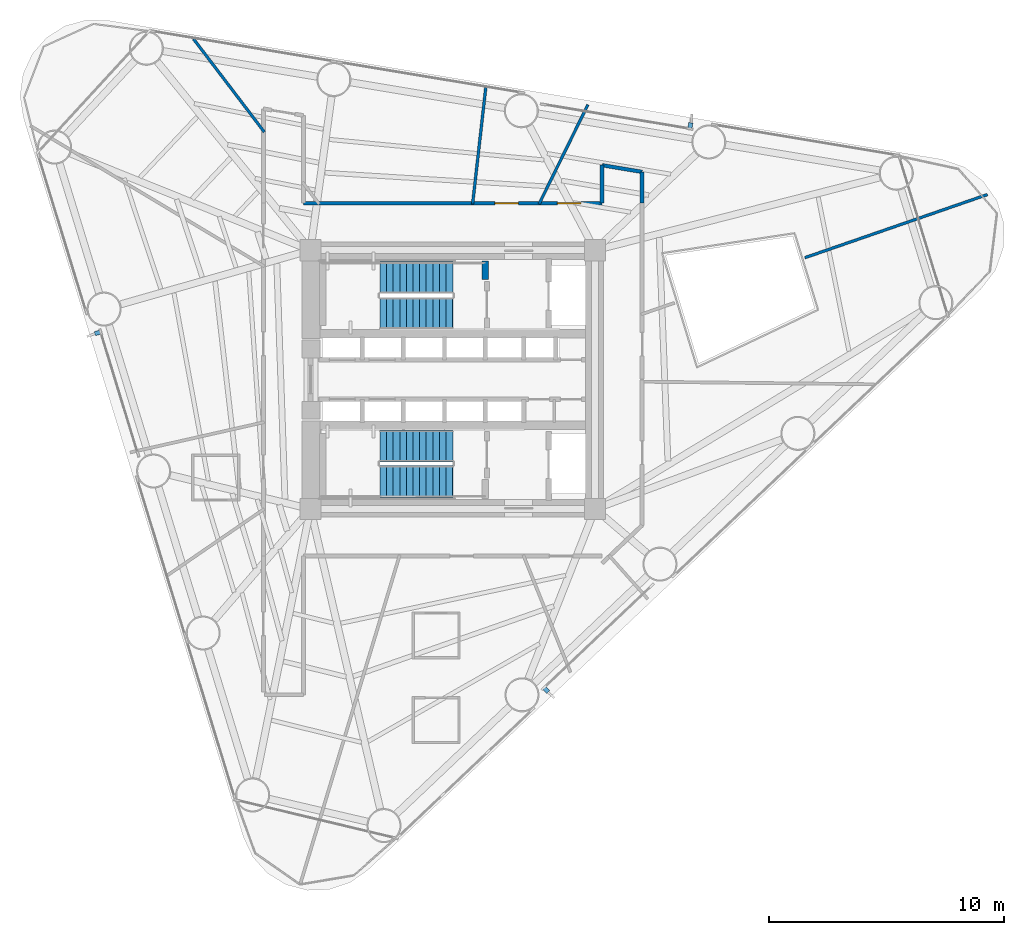
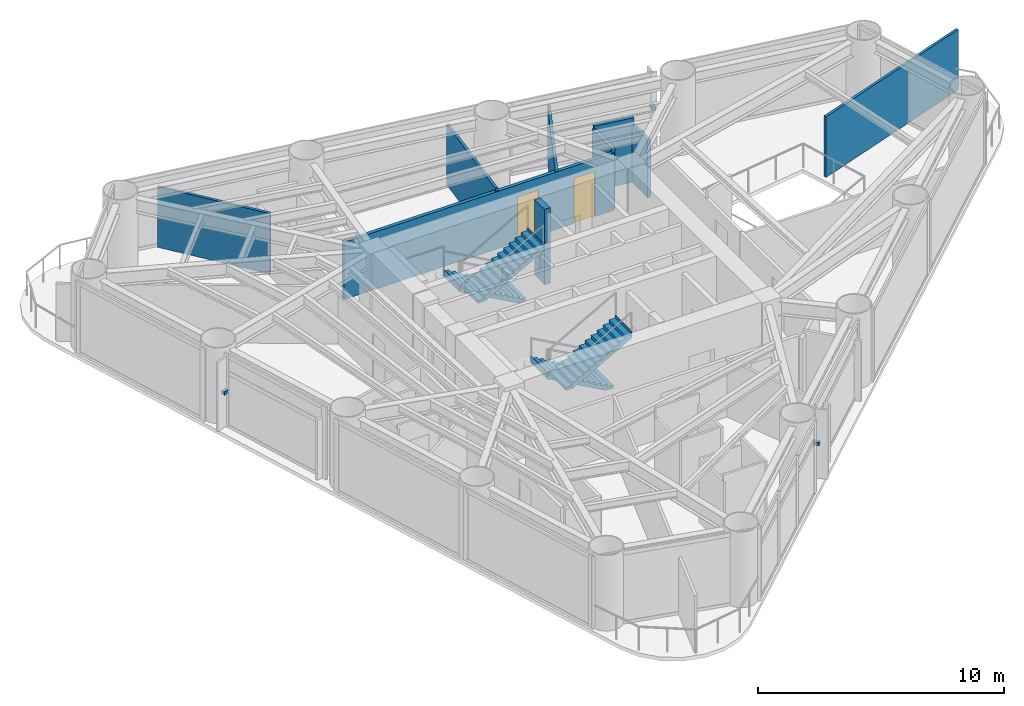
# One storey, part 7 of 10: 9 walls, 4 stair flights, 3 discrete accessories, 2 doors, 2 openings, 2 elements without a shape of their own.
"""IFC4 building model written with IfcOpenShell, lengths in metres."""

from ifc_helpers import new_model, si_unit, direction, frame, frame_2d, origin, origin_2d, place, context, subcontext, project, spatial, polyline, rectangle, outline, extrude, source, transform, mapped, material, layer, layer_set, type_object, element, fill, aggregate, save


model = new_model("IFC4")

# Units and contexts
model_context = context("Model", 3, precision=1e-05, world=origin(), true_north=direction((0.0, 1.0)))
body_context = subcontext(model_context, "Body", "Model", "MODEL_VIEW")
ifc_project = project(units=[si_unit("LENGTHUNIT", "METRE"), si_unit("AREAUNIT", "SQUARE_METRE"), si_unit("VOLUMEUNIT", "CUBIC_METRE"), si_unit("PLANEANGLEUNIT", "RADIAN"), si_unit("MASSUNIT", "GRAM", prefix="KILO")], contexts=[model_context])

# Site, building, storey
site_placement = place(None, origin())
site = spatial("IfcSite", under=ifc_project, at=site_placement, CompositionType="ELEMENT")
building_placement = place(site_placement, origin())
building = spatial("IfcBuilding", under=site, at=building_placement, Name="Yunling Apex Tower", CompositionType="ELEMENT")
storey_placement = place(building_placement, frame((0.0, 0.0, 93.64990234375)))
storey = spatial("IfcBuildingStorey", under=building, at=storey_placement, Name="L23", CompositionType="ELEMENT", Elevation=93.64990234375)

# Wall
ifc_material_1 = material(Name="Concrete C40", Category="concrete")
ifc_layer_1 = layer(ifc_material_1, 0.280029296875)
ifc_layer_set_1 = layer_set([ifc_layer_1], Name="Concrete C40")
wall_type_1 = type_object("IfcWallType", Name="WL-COR-8", PredefinedType="SHEAR", material=ifc_layer_set_1)
wall_1_placement = place(storey_placement, frame((1.3798828125, 4.25, 0.0), z_axis=(0.0, 0.0, 1.0), x_axis=(0.0, 1.0, 0.0)))
element("IfcWall", 1, at=wall_1_placement, inside=storey, type_object=wall_type_1, Name="L23 ST-1 East Landing Bearing Pier", PredefinedType="SHEAR", context=body_context, shape_type="SweptSolid", body=[
    extrude(rectangle(XDim=0.800048828125, YDim=0.280029296875, at=frame_2d((0.39990234375, 0.0))), origin(), (0.0, 0.0, 1.0), 3.75),
])

# Wall, openings, doors
ifc_material_2 = material(Name="Gypsum board acoustic partition")
ifc_layer_2 = layer(ifc_material_2, 0.159912109375)
ifc_layer_set_2 = layer_set([ifc_layer_2], Name="Gypsum board acoustic partition")
wall_type_2 = type_object("IfcWallType", Name="WL-PRT-1", PredefinedType="PARTITIONING", material=ifc_layer_set_2)
wall_2_placement = place(storey_placement, frame((-6.35009765625, 7.5, 0.0), z_axis=(0.0, 0.0, 1.0), x_axis=(1.0, 0.0, 0.0)))
wall_2 = element("IfcWall", 2, at=wall_2_placement, inside=storey, type_object=wall_type_2, Name="WL-CORR-L23-06", PredefinedType="PARTITIONING", context=body_context, shape_type="SweptSolid", body=[
    extrude(rectangle(XDim=12.7001953125, YDim=0.159912109375, at=frame_2d((6.35009765625, 0.0))), origin(), (0.0, 0.0, 1.0), 2.85009765625),
])
opening_1_placement = place(wall_2_placement, frame((8.14013671875, 0.0, 0.0)))
opening_1 = element("IfcOpeningElement", 3, at=opening_1_placement, cuts=wall_2, Name="Opening DR-OFF-1", PredefinedType="OPENING", context=body_context, shape_type="SweptSolid", body=[
    extrude(rectangle(XDim=1.0, YDim=2.25, at=frame_2d((0.5, 1.125))), frame((0.0, 0.08984375, 0.0), z_axis=(0.0, -1.0, 0.0), x_axis=(1.0, 0.0, 0.0)), (0.0, 0.0, 1.0), 0.179931640625),
])
opening_2_placement = place(wall_2_placement, frame((10.799072265625, 0.0, 0.0)))
opening_2 = element("IfcOpeningElement", 4, at=opening_2_placement, cuts=wall_2, Name="Opening DR-OFF-1", PredefinedType="OPENING", context=body_context, shape_type="SweptSolid", body=[
    extrude(rectangle(XDim=1.0, YDim=2.25, at=frame_2d((0.5, 1.125))), frame((0.0, 0.08984375, 0.0), z_axis=(0.0, -1.0, 0.0), x_axis=(1.0, 0.0, 0.0)), (0.0, 0.0, 1.0), 0.179931640625),
])
ifc_material_3 = material(Name="Bronze anodised aluminium", Category="aluminium")
door_type = type_object("IfcDoorType", Name="DR-OFF-1", OperationType="NOTDEFINED", PredefinedType="DOOR", material=ifc_material_3)
door_1_placement = place(opening_1_placement, origin())
door_1 = element("IfcDoor", 5, at=door_1_placement, inside=storey, type_object=door_type, Name="L23 Administration Staff Room Door", OperationType="SINGLE_SWING_RIGHT", OverallHeight=2.25, OverallWidth=1.0, PredefinedType="DOOR", context=body_context, shape_type="SweptSolid", body=[
    extrude(rectangle(XDim=1.0, YDim=2.25, at=frame_2d((0.5, 1.125))), frame((0.0, 0.02490234375, 0.0), z_axis=(0.0, -1.0, 0.0), x_axis=(1.0, 0.0, 0.0)), (0.0, 0.0, 1.0), 0.050048828125),
])
fill(opening_1, door_1)
door_2_placement = place(opening_2_placement, origin())
door_2 = element("IfcDoor", 6, at=door_2_placement, inside=storey, type_object=door_type, Name="L23 Open Plan Office Door", OperationType="SINGLE_SWING_LEFT", OverallHeight=2.25, OverallWidth=1.0, PredefinedType="DOOR", context=body_context, shape_type="SweptSolid", body=[
    extrude(rectangle(XDim=1.0, YDim=2.25, at=frame_2d((0.5, 1.125))), frame((0.0, 0.02490234375, 0.0), z_axis=(0.0, -1.0, 0.0), x_axis=(1.0, 0.0, 0.0)), (0.0, 0.0, 1.0), 0.050048828125),
])
fill(opening_2, door_2)

# Walls
wall_3_placement = place(storey_placement, frame((6.35009765625, 7.5, 0.0), z_axis=(0.0, 0.0, 1.0), x_axis=(0.0, 1.0, 0.0)))
element("IfcWall", 7, at=wall_3_placement, inside=storey, type_object=wall_type_2, Name="WL-CORR-L23-07", PredefinedType="PARTITIONING", context=body_context, shape_type="SweptSolid", body=[
    extrude(rectangle(XDim=1.613037109375, YDim=0.159912109375, at=frame_2d((0.806640625, 0.0))), origin(), (0.0, 0.0, 1.0), 3.050048828125),
])
wall_4_placement = place(storey_placement, frame((6.35009765625, 9.113037109375, 0.0), z_axis=(0.0, 0.0, 1.0), x_axis=(0.986405407683, -0.164330069354, 0.0)))
element("IfcWall", 8, at=wall_4_placement, inside=storey, type_object=wall_type_2, Name="WL-CORR-L23-08", PredefinedType="PARTITIONING", context=body_context, shape_type="SweptSolid", body=[
    extrude(rectangle(XDim=1.723388671875, YDim=0.159912109375, at=frame_2d((0.86181640625, 0.0))), origin(), (0.0, 0.0, 1.0), 3.2001953125),
])
wall_5_placement = place(storey_placement, frame((8.050048828125, 8.829833984375, 0.0), z_axis=(0.0, 0.0, 1.0), x_axis=(0.0, -1.0, 0.0)))
element("IfcWall", 9, at=wall_5_placement, inside=storey, type_object=wall_type_2, Name="WL-CORR-L23-09", PredefinedType="PARTITIONING", context=body_context, shape_type="SweptSolid", body=[
    extrude(rectangle(XDim=1.329833984375, YDim=0.159912109375, at=frame_2d((0.6650390625, 0.0))), origin(), (0.0, 0.0, 1.0), 2.85009765625),
])
ifc_layer_3 = layer(ifc_material_2, 0.1201171875)
ifc_layer_set_3 = layer_set([ifc_layer_3], Name="Gypsum board acoustic partition")
wall_type_3 = type_object("IfcWallType", Name="WL-PRT-3", PredefinedType="PARTITIONING", material=ifc_layer_set_3)
wall_6_placement = place(storey_placement, frame((14.96923828125, 5.180908203125, 0.0), z_axis=(0.0, 0.0, 1.0), x_axis=(0.945001266043, 0.327066670843, 0.0)))
element("IfcWall", 10, at=wall_6_placement, inside=storey, type_object=wall_type_3, Name="WL-RAD-L23-09", PredefinedType="PARTITIONING", context=body_context, shape_type="SweptSolid", body=[
    extrude(rectangle(XDim=8.21484375, YDim=0.1201171875, at=frame_2d((4.107421875, 0.0))), origin(), (0.0, 0.0, 1.0), 3.010009765625),
])
wall_7_placement = place(storey_placement, frame((3.667724609375, 7.4599609375, 0.0), z_axis=(0.0, 0.0, 1.0), x_axis=(0.441212238914, 0.897402785951, 0.0)))
element("IfcWall", 11, at=wall_7_placement, inside=storey, type_object=wall_type_3, Name="WL-RAD-L23-10", PredefinedType="PARTITIONING", context=body_context, shape_type="SweptSolid", body=[
    extrude(rectangle(XDim=4.710693359375, YDim=0.1201171875, at=frame_2d((2.35546875, 0.0))), origin(), (0.0, 0.0, 1.0), 2.85009765625),
])
wall_8_placement = place(storey_placement, frame((0.843994140625, 7.4599609375, 0.0), z_axis=(0.0, 0.0, 1.0), x_axis=(0.112405035284, 0.99366247189, 0.0)))
element("IfcWall", 12, at=wall_8_placement, inside=storey, type_object=wall_type_3, Name="WL-RAD-L23-11", PredefinedType="PARTITIONING", context=body_context, shape_type="SweptSolid", body=[
    extrude(rectangle(XDim=4.982421875, YDim=0.1201171875, at=frame_2d((2.4912109375, 0.0))), origin(), (0.0, 0.0, 1.0), 3.010009765625),
])
wall_9_placement = place(storey_placement, frame((-8.010009765625, 10.52490234375, 0.0), z_axis=(0.0, 0.0, 1.0), x_axis=(-0.605587414203, 0.79577879072, 0.0)))
element("IfcWall", 13, at=wall_9_placement, inside=storey, type_object=wall_type_3, Name="WL-RAD-L23-13", PredefinedType="PARTITIONING", context=body_context, shape_type="SweptSolid", body=[
    extrude(rectangle(XDim=4.9716796875, YDim=0.1201171875, at=frame_2d((2.48583984375, 0.0))), origin(), (0.0, 0.0, 1.0), 3.010009765625),
])

# Stair, stair flights
stair_type = type_object("IfcStairType", Name="ST-TWR-1", PredefinedType="HALF_TURN_STAIR", material=ifc_material_1)
stair_1_placement = place(storey_placement, origin())
stair_1 = element("IfcStair", 14, at=stair_1_placement, inside=storey, type_object=stair_type, Name="L23 North Core Smokeproof Exit Stair ST-1", PredefinedType="HALF_TURN_STAIR")
stair_flight_type = type_object("IfcStairFlightType", Name="SFL-TWR-1", PredefinedType="STRAIGHT", material=ifc_material_1)
stair_flight_1_placement = place(storey_placement, frame((-0.010009765625, 4.330078125, 0.0), z_axis=(0.0, 0.0, 1.0), x_axis=(-1.0, 0.0, 0.0)))
stair_flight_1 = element("IfcStairFlight", 15, at=stair_flight_1_placement, type_object=stair_flight_type, Name="ST-1 flight 1", NumberOfRisers=12, NumberOfTreads=11, PredefinedType="STRAIGHT", RiserHeight=0.15625, TreadLength=0.28, context=body_context, shape_type="SweptSolid", body=[
    extrude(outline(polyline([(-0.011962890625, 0.0), (-0.011962890625, 0.15625), (0.0, 0.15625), (0.280029296875, 0.15625), (0.280029296875, 0.3125), (0.56005859375, 0.3125), (0.56005859375, 0.46875), (0.840087890625, 0.46875), (0.840087890625, 0.625), (1.1201171875, 0.625), (1.1201171875, 0.78125), (1.39990234375, 0.78125), (1.39990234375, 0.9375), (1.679931640625, 0.9375), (1.679931640625, 1.09375), (1.9599609375, 1.09375), (1.9599609375, 1.25), (2.239990234375, 1.25), (2.239990234375, 1.40625), (2.52001953125, 1.40625), (2.52001953125, 1.5625), (2.800048828125, 1.5625), (2.800048828125, 1.71875), (3.080078125, 1.71875), (3.080078125, 1.875), (3.092041015625, 1.875), (3.092041015625, 1.53564453125), (0.328125, 0.0), (-0.011962890625, 0.0)])), frame((0.0, 0.68017578125, 0.0), z_axis=(0.0, -1.0, 0.0), x_axis=(1.0, 0.0, 0.0)), (0.0, 0.0, 1.0), 1.360107421875),
])
stair_flight_2_placement = place(storey_placement, frame((-3.090087890625, 2.820068359375, 1.875), z_axis=(0.0, 0.0, 1.0), x_axis=(1.0, 0.0, 0.0)))
stair_flight_2 = element("IfcStairFlight", 16, at=stair_flight_2_placement, type_object=stair_flight_type, Name="ST-1 flight 2", NumberOfRisers=12, NumberOfTreads=11, PredefinedType="STRAIGHT", RiserHeight=0.15625, TreadLength=0.28, context=body_context, shape_type="SweptSolid", body=[
    extrude(outline(polyline([(-0.011962890625, 0.0), (-0.011962890625, 0.15625), (0.0, 0.15625), (0.280029296875, 0.15625), (0.280029296875, 0.3125), (0.56005859375, 0.3125), (0.56005859375, 0.46875), (0.840087890625, 0.46875), (0.840087890625, 0.625), (1.1201171875, 0.625), (1.1201171875, 0.78125), (1.39990234375, 0.78125), (1.39990234375, 0.9375), (1.679931640625, 0.9375), (1.679931640625, 1.09375), (1.9599609375, 1.09375), (1.9599609375, 1.25), (2.239990234375, 1.25), (2.239990234375, 1.40625), (2.52001953125, 1.40625), (2.52001953125, 1.5625), (2.800048828125, 1.5625), (2.800048828125, 1.71875), (3.080078125, 1.71875), (3.080078125, 1.875), (3.092041015625, 1.875), (3.092041015625, 1.53564453125), (0.328125, 0.0), (-0.011962890625, 0.0)])), frame((0.0, 0.68017578125, 0.0), z_axis=(0.0, -1.0, 0.0), x_axis=(1.0, 0.0, 0.0)), (0.0, 0.0, 1.0), 1.360107421875),
])
aggregate(stair_1, [stair_flight_1, stair_flight_2])

stair_2_placement = place(storey_placement, origin())
stair_2 = element("IfcStair", 17, at=stair_2_placement, inside=storey, type_object=stair_type, Name="L23 South Core Smokeproof Exit Stair ST-2", PredefinedType="HALF_TURN_STAIR")
stair_flight_3_placement = place(storey_placement, frame((-0.010009765625, -2.820068359375, 0.0), z_axis=(0.0, 0.0, 1.0), x_axis=(-1.0, 0.0, 0.0)))
stair_flight_3 = element("IfcStairFlight", 18, at=stair_flight_3_placement, type_object=stair_flight_type, Name="ST-2 flight 1", NumberOfRisers=12, NumberOfTreads=11, PredefinedType="STRAIGHT", RiserHeight=0.15625, TreadLength=0.28, context=body_context, shape_type="SweptSolid", body=[
    extrude(outline(polyline([(-0.011962890625, 0.0), (-0.011962890625, 0.15625), (0.0, 0.15625), (0.280029296875, 0.15625), (0.280029296875, 0.3125), (0.56005859375, 0.3125), (0.56005859375, 0.46875), (0.840087890625, 0.46875), (0.840087890625, 0.625), (1.1201171875, 0.625), (1.1201171875, 0.78125), (1.39990234375, 0.78125), (1.39990234375, 0.9375), (1.679931640625, 0.9375), (1.679931640625, 1.09375), (1.9599609375, 1.09375), (1.9599609375, 1.25), (2.239990234375, 1.25), (2.239990234375, 1.40625), (2.52001953125, 1.40625), (2.52001953125, 1.5625), (2.800048828125, 1.5625), (2.800048828125, 1.71875), (3.080078125, 1.71875), (3.080078125, 1.875), (3.092041015625, 1.875), (3.092041015625, 1.53564453125), (0.328125, 0.0), (-0.011962890625, 0.0)])), frame((0.0, 0.68017578125, 0.0), z_axis=(0.0, -1.0, 0.0), x_axis=(1.0, 0.0, 0.0)), (0.0, 0.0, 1.0), 1.360107421875),
])
stair_flight_4_placement = place(storey_placement, frame((-3.090087890625, -4.330078125, 1.875), z_axis=(0.0, 0.0, 1.0), x_axis=(1.0, 0.0, 0.0)))
stair_flight_4 = element("IfcStairFlight", 19, at=stair_flight_4_placement, type_object=stair_flight_type, Name="ST-2 flight 2", NumberOfRisers=12, NumberOfTreads=11, PredefinedType="STRAIGHT", RiserHeight=0.15625, TreadLength=0.28, context=body_context, shape_type="SweptSolid", body=[
    extrude(outline(polyline([(-0.011962890625, 0.0), (-0.011962890625, 0.15625), (0.0, 0.15625), (0.280029296875, 0.15625), (0.280029296875, 0.3125), (0.56005859375, 0.3125), (0.56005859375, 0.46875), (0.840087890625, 0.46875), (0.840087890625, 0.625), (1.1201171875, 0.625), (1.1201171875, 0.78125), (1.39990234375, 0.78125), (1.39990234375, 0.9375), (1.679931640625, 0.9375), (1.679931640625, 1.09375), (1.9599609375, 1.09375), (1.9599609375, 1.25), (2.239990234375, 1.25), (2.239990234375, 1.40625), (2.52001953125, 1.40625), (2.52001953125, 1.5625), (2.800048828125, 1.5625), (2.800048828125, 1.71875), (3.080078125, 1.71875), (3.080078125, 1.875), (3.092041015625, 1.875), (3.092041015625, 1.53564453125), (0.328125, 0.0), (-0.011962890625, 0.0)])), frame((0.0, 0.68017578125, 0.0), z_axis=(0.0, -1.0, 0.0), x_axis=(1.0, 0.0, 0.0)), (0.0, 0.0, 1.0), 1.360107421875),
])
aggregate(stair_2, [stair_flight_3, stair_flight_4])

# Discrete accessories
ifc_material_4 = material(Name="Steel Q355B", Category="steel")
discrete_accessory_type = type_object("IfcDiscreteAccessoryType", Name="BK-FIN-1", PredefinedType="BRACKET", material=ifc_material_4)
shared_shape = source(origin(), body_context, "Body", "SweptSolid", [
    extrude(rectangle(XDim=0.179931640625, YDim=0.260009765625, at=origin_2d()), origin(), (0.0, 0.0, 1.0), 0.159912109375),
])
for number, where, z_axis, x_axis, name in (
    (20, (3.9658203125, -13.191162109375, 1.70263671875), (0.0, 0.0, 1.0), (0.725854756355, 0.687848001144, 0.0), "CW-L23-F1-B2-BRK-01-1"),
    (21, (10.10009765625, 10.789306640625, 1.70263671875), (0.0, 0.0, 1.0), (-0.986400586142, 0.164359008451, 0.0), "CW-L23-F2-B2-BRK-01-1"),
    (22, (-15.0888671875, 1.988037109375, 1.70263671875), (0.0, 0.0, 1.0), (0.292371704723, -0.956304755963, 0.0), "CW-L23-F3-B2-BRK-01-1"),
):
    element("IfcDiscreteAccessory", number, at=place(storey_placement, frame(where, z_axis=z_axis, x_axis=x_axis)), inside=storey, type_object=discrete_accessory_type, Name=name, PredefinedType="BRACKET", context=body_context, shape_type="MappedRepresentation", body=[
        mapped(shared_shape, transform((0.0, 0.0, 0.0), scale=1.0)),
    ])

save(model, "model.ifc")
